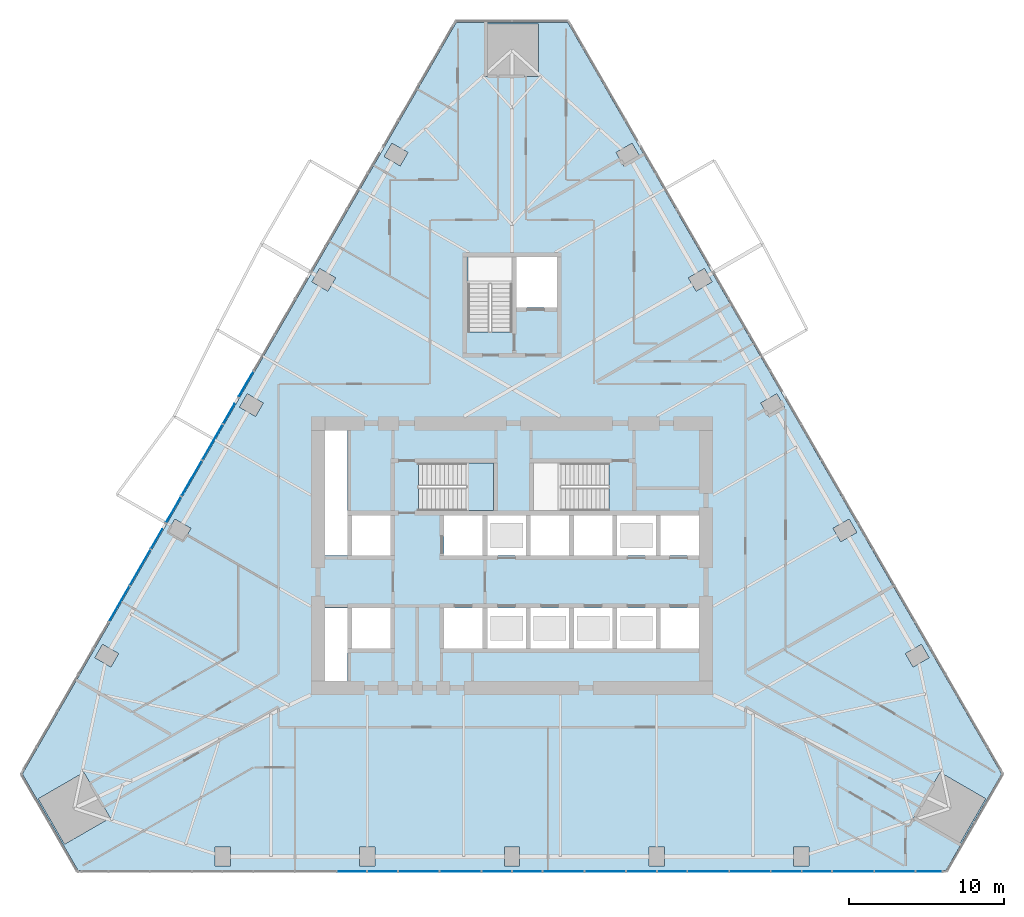
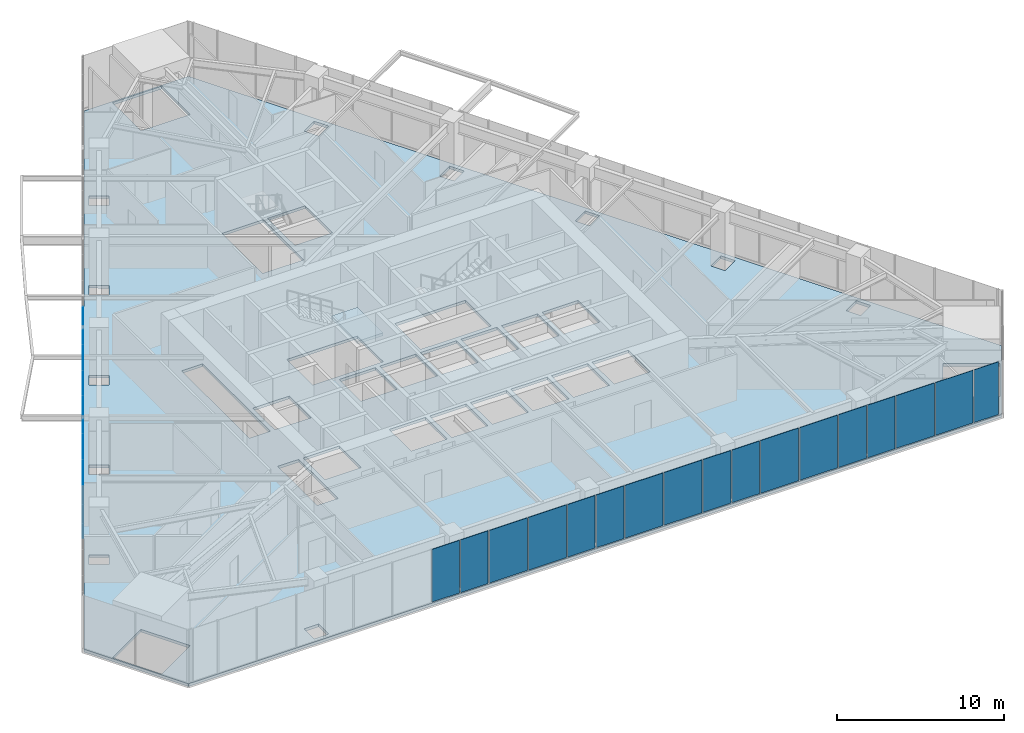
# One storey, part 12 of 22: 25 plates, 2 slabs, 3 elements without a shape of their own.
"""IFC4 building model written with IfcOpenShell, lengths in metres."""

from ifc_helpers import new_model, si_unit, direction, frame, origin, place, context, subcontext, project, spatial, polyline, outline, extrude, material, layer, layer_set, type_object, element, aggregate, save


model = new_model("IFC4")

# Units and contexts
model_context = context("Model", 3, precision=1e-05, world=origin(), true_north=direction((0.0, 1.0)))
body_context = subcontext(model_context, "Body", "Model", "MODEL_VIEW")
ifc_project = project(units=[si_unit("LENGTHUNIT", "METRE"), si_unit("AREAUNIT", "SQUARE_METRE"), si_unit("VOLUMEUNIT", "CUBIC_METRE"), si_unit("PLANEANGLEUNIT", "RADIAN"), si_unit("MASSUNIT", "GRAM", prefix="KILO")], contexts=[model_context])

# Site, building, storey
site_placement = place(None, origin())
site = spatial("IfcSite", under=ifc_project, at=site_placement, CompositionType="ELEMENT")
building_placement = place(site_placement, origin())
building = spatial("IfcBuilding", under=site, at=building_placement, Name="Firuza Gate Tower and Library", CompositionType="ELEMENT")
storey_placement = place(building_placement, frame((0.0, 0.0, 111.39990234375)))
storey = spatial("IfcBuildingStorey", under=building, at=storey_placement, Name="L25", CompositionType="ELEMENT", Elevation=111.39990234375)

# Slab
ifc_material_1 = material(Name="Concrete C40/50", Category="concrete")
ifc_layer_1 = layer(ifc_material_1, 0.199951171875)
ifc_layer_set_1 = layer_set([ifc_layer_1], Name="Composite floor slab 200 C40/50")
slab_type_1 = type_object("IfcSlabType", Name="Composite floor slab 200 C40/50", PredefinedType="FLOOR", material=ifc_layer_set_1)
slab_1_placement = place(storey_placement, frame((0.0, 0.0, -0.199951171875)))
element("IfcSlab", 1, at=slab_1_placement, inside=storey, type_object=slab_type_1, Name="Floor slab L25", PredefinedType="FLOOR", context=body_context, shape_type="SweptSolid", body=[
    extrude(outline(polyline([(43.33740234375, 60.87646484375), (46.937255859375, 54.64111328125), (103.062744140625, 54.64111328125), (106.66259765625, 60.87646484375), (78.60009765625, 109.482421875), (71.39990234375, 109.482421875), (43.33740234375, 60.87646484375)]), holes=[polyline([(55.79150390625, 54.941162109375), (55.79150390625, 56.14111328125), (56.79150390625, 56.14111328125), (56.79150390625, 54.941162109375), (55.79150390625, 54.941162109375)]), polyline([(65.145751953125, 54.941162109375), (65.145751953125, 56.14111328125), (66.145751953125, 56.14111328125), (66.145751953125, 54.941162109375), (65.145751953125, 54.941162109375)]), polyline([(44.3740234375, 59.281005859375), (47.318359375, 60.98095703125), (49.0185546875, 58.03662109375), (46.073974609375, 56.336669921875), (44.3740234375, 59.281005859375)]), polyline([(48.524169921875, 69.260498046875), (49.5634765625, 68.660400390625), (49.0634765625, 67.79443359375), (48.024169921875, 68.39453125), (48.524169921875, 69.260498046875)]), polyline([(64.35009765625, 66.89990234375), (62.89990234375, 66.89990234375), (62.89990234375, 71.60009765625), (64.35009765625, 71.60009765625), (64.35009765625, 66.89990234375)]), polyline([(75.89990234375, 69.0), (73.39990234375, 69.0), (73.39990234375, 71.60009765625), (75.89990234375, 71.60009765625), (75.89990234375, 69.0)]), polyline([(73.10009765625, 69.0), (70.60009765625, 69.0), (70.60009765625, 71.60009765625), (73.10009765625, 71.60009765625), (73.10009765625, 69.0)]), polyline([(64.64990234375, 69.0), (64.64990234375, 71.60009765625), (67.14990234375, 71.60009765625), (67.14990234375, 69.0), (64.64990234375, 69.0)]), polyline([(64.64990234375, 75.0), (64.64990234375, 77.60009765625), (67.14990234375, 77.60009765625), (67.14990234375, 75.0), (64.64990234375, 75.0)]), polyline([(75.89990234375, 75.0), (73.39990234375, 75.0), (73.39990234375, 77.60009765625), (75.89990234375, 77.60009765625), (75.89990234375, 75.0)]), polyline([(73.10009765625, 75.0), (70.60009765625, 75.0), (70.60009765625, 77.60009765625), (73.10009765625, 77.60009765625), (73.10009765625, 75.0)]), polyline([(53.201416015625, 77.361572265625), (54.24072265625, 76.761474609375), (53.74072265625, 75.8955078125), (52.701416015625, 76.495361328125), (53.201416015625, 77.361572265625)]), polyline([(62.89990234375, 75.0), (62.89990234375, 83.10009765625), (64.35009765625, 83.10009765625), (64.35009765625, 75.0), (62.89990234375, 75.0)]), polyline([(68.9404296875, 77.89990234375), (68.9404296875, 80.97998046875), (73.81005859375, 80.97998046875), (73.81005859375, 77.89990234375), (68.9404296875, 77.89990234375)]), polyline([(57.87841796875, 85.46240234375), (58.917724609375, 84.862548828125), (58.417724609375, 83.996337890625), (57.37841796875, 84.596435546875), (57.87841796875, 85.46240234375)]), polyline([(72.159912109375, 89.470458984375), (72.159912109375, 94.300048828125), (75.0, 94.300048828125), (75.0, 89.470458984375), (72.159912109375, 89.470458984375)]), polyline([(62.5556640625, 93.5634765625), (63.5947265625, 92.96337890625), (63.0947265625, 92.097412109375), (62.0556640625, 92.697509765625), (62.5556640625, 93.5634765625)]), polyline([(68.27197265625, 101.064453125), (67.77197265625, 100.198486328125), (66.732666015625, 100.79833984375), (67.232666015625, 101.66455078125), (68.27197265625, 101.064453125)]), polyline([(76.699951171875, 105.982421875), (73.300048828125, 105.982421875), (73.300048828125, 109.38232421875), (76.699951171875, 109.38232421875), (76.699951171875, 105.982421875)]), polyline([(93.20849609375, 54.941162109375), (93.20849609375, 56.14111328125), (94.20849609375, 56.14111328125), (94.20849609375, 54.941162109375), (93.20849609375, 54.941162109375)]), polyline([(74.5, 54.941162109375), (74.5, 56.14111328125), (75.5, 56.14111328125), (75.5, 54.941162109375), (74.5, 54.941162109375)]), polyline([(83.854248046875, 54.941162109375), (83.854248046875, 56.14111328125), (84.854248046875, 56.14111328125), (84.854248046875, 54.941162109375), (83.854248046875, 54.941162109375)]), polyline([(103.926025390625, 56.336669921875), (100.9814453125, 58.03662109375), (102.681640625, 60.98095703125), (105.6259765625, 59.281005859375), (103.926025390625, 56.336669921875)]), polyline([(101.975830078125, 68.39453125), (100.9365234375, 67.79443359375), (100.4365234375, 68.660400390625), (101.475830078125, 69.260498046875), (101.975830078125, 68.39453125)]), polyline([(78.699951171875, 69.0), (76.199951171875, 69.0), (76.199951171875, 71.60009765625), (78.699951171875, 71.60009765625), (78.699951171875, 69.0)]), polyline([(81.5, 69.0), (79.0, 69.0), (79.0, 71.60009765625), (81.5, 71.60009765625), (81.5, 69.0)]), polyline([(84.60009765625, 69.0), (84.60009765625, 71.60009765625), (87.10009765625, 71.60009765625), (87.10009765625, 69.0), (84.60009765625, 69.0)]), polyline([(81.800048828125, 69.0), (81.800048828125, 71.60009765625), (84.300048828125, 71.60009765625), (84.300048828125, 69.0), (81.800048828125, 69.0)]), polyline([(84.300048828125, 75.0), (81.800048828125, 75.0), (81.800048828125, 77.60009765625), (84.300048828125, 77.60009765625), (84.300048828125, 75.0)]), polyline([(87.10009765625, 75.0), (84.60009765625, 75.0), (84.60009765625, 77.60009765625), (87.10009765625, 77.60009765625), (87.10009765625, 75.0)]), polyline([(81.5, 75.0), (79.0, 75.0), (79.0, 77.60009765625), (81.5, 77.60009765625), (81.5, 75.0)]), polyline([(76.199951171875, 75.0), (76.199951171875, 77.60009765625), (78.699951171875, 77.60009765625), (78.699951171875, 75.0), (76.199951171875, 75.0)]), polyline([(96.25927734375, 75.8955078125), (95.75927734375, 76.761474609375), (96.798583984375, 77.361572265625), (97.298583984375, 76.495361328125), (96.25927734375, 75.8955078125)]), polyline([(81.259521484375, 77.89990234375), (76.389892578125, 77.89990234375), (76.389892578125, 80.97998046875), (81.259521484375, 80.97998046875), (81.259521484375, 77.89990234375)]), polyline([(92.62158203125, 84.596435546875), (91.582275390625, 83.996337890625), (91.082275390625, 84.862548828125), (92.12158203125, 85.46240234375), (92.62158203125, 84.596435546875)]), polyline([(77.89990234375, 91.050048828125), (75.300048828125, 91.050048828125), (75.300048828125, 94.300048828125), (77.89990234375, 94.300048828125), (77.89990234375, 91.050048828125)]), polyline([(86.9052734375, 92.097412109375), (86.4052734375, 92.96337890625), (87.4443359375, 93.5634765625), (87.9443359375, 92.697509765625), (86.9052734375, 92.097412109375)]), polyline([(82.22802734375, 100.198486328125), (81.72802734375, 101.064453125), (82.767333984375, 101.66455078125), (83.267333984375, 100.79833984375), (82.22802734375, 100.198486328125)])]), origin(), (0.0, 0.0, 1.0), 0.199951171875),
])

# Curtain wall, plates
ifc_material_2 = material(Name="Aluminium 6063-T6", Category="aluminium")
ifc_layer_2 = layer(ifc_material_2, 0.14990234375)
ifc_layer_set_2 = layer_set([ifc_layer_2], Name="Unitised curtain wall, offices")
curtain_wall_type = type_object("IfcCurtainWallType", Name="Unitised curtain wall, offices", PredefinedType="NOTDEFINED", material=ifc_layer_set_2)
placement = place(storey_placement, origin())
curtain_wall_1 = element("IfcCurtainWall", 2, at=placement, inside=storey, type_object=curtain_wall_type, Name="CW1 L25 S face", PredefinedType="NOTDEFINED")
ifc_material_3 = material(Name="Fritted glass", Category="glass")
ifc_layer_3 = layer(ifc_material_3, 0.030029296875)
ifc_layer_set_3 = layer_set([ifc_layer_3], Name="Fritted glass unit, offices")
plate_type_1 = type_object("IfcPlateType", Name="Fritted glass unit, offices", PredefinedType="CURTAIN_PANEL", material=ifc_layer_set_3)
plate_1_placement = place(storey_placement, frame((63.709228515625, 54.551025390625, 0.150146484375), z_axis=(0.0, -1.0, 0.0), x_axis=(1.0, 0.0, 0.0)))
plate_1 = element("IfcPlate", 3, at=plate_1_placement, type_object=plate_type_1, Name="Glass unit", PredefinedType="CURTAIN_PANEL", context=body_context, shape_type="SweptSolid", body=[
    extrude(outline(polyline([(0.0, 0.0), (1.882080078125, 0.0), (1.882080078125, 3.849853515625), (0.0, 3.849853515625), (0.0, 0.0)])), origin(), (0.0, 0.0, -1.0), 0.030029296875),
])
plate_2_placement = place(storey_placement, frame((65.67138671875, 54.551025390625, 0.150146484375), z_axis=(0.0, -1.0, 0.0), x_axis=(1.0, 0.0, 0.0)))
plate_2 = element("IfcPlate", 4, at=plate_2_placement, type_object=plate_type_1, Name="Glass unit", PredefinedType="CURTAIN_PANEL", context=body_context, shape_type="SweptSolid", body=[
    extrude(outline(polyline([(0.0, 0.0), (1.910888671875, 0.0), (1.910888671875, 3.849853515625), (0.0, 3.849853515625), (0.0, 0.0)])), origin(), (0.0, 0.0, -1.0), 0.030029296875),
])
plate_3_placement = place(storey_placement, frame((73.0634765625, 54.551025390625, 0.150146484375), z_axis=(0.0, -1.0, 0.0), x_axis=(1.0, 0.0, 0.0)))
plate_3 = element("IfcPlate", 5, at=plate_3_placement, type_object=plate_type_1, Name="Glass unit", PredefinedType="CURTAIN_PANEL", context=body_context, shape_type="SweptSolid", body=[
    extrude(outline(polyline([(0.0, 0.0), (1.896484375, 0.0), (1.896484375, 3.849853515625), (0.0, 3.849853515625), (0.0, 0.0)])), origin(), (0.0, 0.0, -1.0), 0.030029296875),
])
plate_4_placement = place(storey_placement, frame((75.0400390625, 54.551025390625, 0.150146484375), z_axis=(0.0, -1.0, 0.0), x_axis=(1.0, 0.0, 0.0)))
plate_4 = element("IfcPlate", 6, at=plate_4_placement, type_object=plate_type_1, Name="Glass unit", PredefinedType="CURTAIN_PANEL", context=body_context, shape_type="SweptSolid", body=[
    extrude(outline(polyline([(0.0, 0.0), (1.896484375, 0.0), (1.896484375, 3.849853515625), (0.0, 3.849853515625), (0.0, 0.0)])), origin(), (0.0, 0.0, -1.0), 0.030029296875),
])
plate_5_placement = place(storey_placement, frame((82.417724609375, 54.551025390625, 0.150146484375), z_axis=(0.0, -1.0, 0.0), x_axis=(1.0, 0.0, 0.0)))
plate_5 = element("IfcPlate", 7, at=plate_5_placement, type_object=plate_type_1, Name="Glass unit", PredefinedType="CURTAIN_PANEL", context=body_context, shape_type="SweptSolid", body=[
    extrude(outline(polyline([(0.0, 0.0), (1.910888671875, 0.0), (1.910888671875, 3.849853515625), (0.0, 3.849853515625), (0.0, 0.0)])), origin(), (0.0, 0.0, -1.0), 0.030029296875),
])
plate_6_placement = place(storey_placement, frame((84.40869140625, 54.551025390625, 0.150146484375), z_axis=(0.0, -1.0, 0.0), x_axis=(1.0, 0.0, 0.0)))
plate_6 = element("IfcPlate", 8, at=plate_6_placement, type_object=plate_type_1, Name="Glass unit", PredefinedType="CURTAIN_PANEL", context=body_context, shape_type="SweptSolid", body=[
    extrude(outline(polyline([(0.0, 0.0), (1.882080078125, 0.0), (1.882080078125, 3.849853515625), (0.0, 3.849853515625), (0.0, 0.0)])), origin(), (0.0, 0.0, -1.0), 0.030029296875),
])
plate_7_placement = place(storey_placement, frame((91.77197265625, 54.551025390625, 0.150146484375), z_axis=(0.0, -1.0, 0.0), x_axis=(1.0, 0.0, 0.0)))
plate_7 = element("IfcPlate", 9, at=plate_7_placement, type_object=plate_type_1, Name="Glass unit", PredefinedType="CURTAIN_PANEL", context=body_context, shape_type="SweptSolid", body=[
    extrude(outline(polyline([(0.0, 0.0), (1.92529296875, 0.0), (1.92529296875, 3.849853515625), (0.0, 3.849853515625), (0.0, 0.0)])), origin(), (0.0, 0.0, -1.0), 0.030029296875),
])
plate_8_placement = place(storey_placement, frame((93.77734375, 54.551025390625, 0.150146484375), z_axis=(0.0, -1.0, 0.0), x_axis=(1.0, 0.0, 0.0)))
plate_8 = element("IfcPlate", 10, at=plate_8_placement, type_object=plate_type_1, Name="Glass unit", PredefinedType="CURTAIN_PANEL", context=body_context, shape_type="SweptSolid", body=[
    extrude(outline(polyline([(0.0, 0.0), (1.86767578125, 0.0), (1.86767578125, 3.849853515625), (0.0, 3.849853515625), (0.0, 0.0)])), origin(), (0.0, 0.0, -1.0), 0.030029296875),
])
plate_9_placement = place(storey_placement, frame((101.126220703125, 54.551025390625, 0.150146484375), z_axis=(0.0, -1.0, 0.0), x_axis=(1.0, 0.0, 0.0)))
plate_9 = element("IfcPlate", 11, at=plate_9_placement, type_object=plate_type_1, Name="Glass unit", PredefinedType="CURTAIN_PANEL", context=body_context, shape_type="SweptSolid", body=[
    extrude(outline(polyline([(0.0, 0.0), (1.673583984375, 0.0), (1.673583984375, 3.849853515625), (0.0, 3.849853515625), (0.0, 0.0)])), origin(), (0.0, 0.0, -1.0), 0.030029296875),
])

curtain_wall_2 = element("IfcCurtainWall", 12, at=placement, inside=storey, type_object=curtain_wall_type, Name="CW1 L25 W face", PredefinedType="NOTDEFINED")
plate_10_placement = place(storey_placement, frame((58.259033203125, 86.9013671875, 0.150146484375), z_axis=(-0.866016220268, 0.500015905979, 0.0), x_axis=(-0.500015905979, -0.866016220268, 0.0)))
plate_10 = element("IfcPlate", 13, at=plate_10_placement, type_object=plate_type_1, Name="Glass unit", PredefinedType="CURTAIN_PANEL", context=body_context, shape_type="SweptSolid", body=[
    extrude(outline(polyline([(0.0, 0.0), (1.8964240460371324, 0.0), (1.8964240460371324, 3.849853515625), (0.0, 3.849853515625), (0.0, 0.0)])), origin(), (0.0, 0.0, -1.0), 0.030029296875),
])
plate_11_placement = place(storey_placement, frame((57.04736328125, 84.802734375, 0.150146484375), z_axis=(-0.86600608357, 0.5000334621, 0.0), x_axis=(-0.5000334621, -0.86600608357, 0.0)))
plate_11 = element("IfcPlate", 14, at=plate_11_placement, type_object=plate_type_1, Name="Glass unit", PredefinedType="CURTAIN_PANEL", context=body_context, shape_type="SweptSolid", body=[
    extrude(outline(polyline([(0.0, 0.0), (1.4496100172587774, 0.0), (1.4496100172587774, 3.849853515625), (0.0, 3.849853515625), (0.0, 0.0)])), origin(), (0.0, 0.0, -1.0), 0.030029296875),
])
plate_12_placement = place(storey_placement, frame((53.581787109375, 78.800537109375, 0.150146484375), z_axis=(-0.866072836187, 0.499917835669, 0.0), x_axis=(-0.499917835669, -0.866072836187, 0.0)))
plate_12 = element("IfcPlate", 15, at=plate_12_placement, type_object=plate_type_1, Name="Glass unit", PredefinedType="CURTAIN_PANEL", context=body_context, shape_type="SweptSolid", body=[
    extrude(outline(polyline([(0.0, 0.0), (1.9109585565138352, 0.0), (1.9109585565138352, 3.849853515625001), (0.0, 3.849853515625001), (0.0, 0.0)])), origin(), (0.0, 0.0, -1.0), 0.030029296875),
])
plate_13_placement = place(storey_placement, frame((52.3701171875, 76.70166015625, 0.150146484375), z_axis=(-0.866036909293, 0.499980071345, 0.0), x_axis=(-0.499980071345, -0.866036909293, 0.0)))
plate_13 = element("IfcPlate", 16, at=plate_13_placement, type_object=plate_type_1, Name="Glass unit", PredefinedType="CURTAIN_PANEL", context=body_context, shape_type="SweptSolid", body=[
    extrude(outline(polyline([(0.0, 0.0), (1.4492765142645265, 0.0), (1.4492765142645265, 3.849853515625), (0.0, 3.849853515625), (0.0, 0.0)])), origin(), (0.0, 0.0, -1.0), 0.030029296875),
])

# Plate
ifc_material_4 = material(Name="Glazed ceramic tile")
ifc_layer_4 = layer(ifc_material_4, 0.030029296875)
ifc_layer_set_4 = layer_set([ifc_layer_4], Name="Opaque ceramic panel, offices")
plate_type_2 = type_object("IfcPlateType", Name="Opaque ceramic panel, offices", PredefinedType="CURTAIN_PANEL", material=ifc_layer_set_4)
plate_14_placement = place(storey_placement, frame((67.662353515625, 54.551025390625, 0.150146484375), z_axis=(0.0, -1.0, 0.0), x_axis=(1.0, 0.0, 0.0)))
plate_14 = element("IfcPlate", 17, at=plate_14_placement, type_object=plate_type_2, Name="Opaque ceramic panel", PredefinedType="CURTAIN_PANEL", context=body_context, shape_type="SweptSolid", body=[
    extrude(outline(polyline([(0.0, 0.0), (2.61328125, 0.0), (2.61328125, 3.849853515625), (0.0, 3.849853515625), (0.0, 0.0)])), origin(), (0.0, 0.0, -1.0), 0.030029296875),
])

plate_15_placement = place(storey_placement, frame((70.355712890625, 54.551025390625, 0.150146484375), z_axis=(0.0, -1.0, 0.0), x_axis=(1.0, 0.0, 0.0)))
plate_15 = element("IfcPlate", 18, at=plate_15_placement, type_object=plate_type_2, Name="Opaque ceramic panel", PredefinedType="CURTAIN_PANEL", context=body_context, shape_type="SweptSolid", body=[
    extrude(outline(polyline([(0.0, 0.0), (2.6279296875, 0.0), (2.6279296875, 3.849853515625), (0.0, 3.849853515625), (0.0, 0.0)])), origin(), (0.0, 0.0, -1.0), 0.030029296875),
])

plate_16_placement = place(storey_placement, frame((77.016357421875, 54.551025390625, 0.150146484375), z_axis=(0.0, -1.0, 0.0), x_axis=(1.0, 0.0, 0.0)))
plate_16 = element("IfcPlate", 19, at=plate_16_placement, type_object=plate_type_2, Name="Opaque ceramic panel", PredefinedType="CURTAIN_PANEL", context=body_context, shape_type="SweptSolid", body=[
    extrude(outline(polyline([(0.0, 0.0), (2.6279296875, 0.0), (2.6279296875, 3.849853515625), (0.0, 3.849853515625), (0.0, 0.0)])), origin(), (0.0, 0.0, -1.0), 0.030029296875),
])

plate_17_placement = place(storey_placement, frame((79.724365234375, 54.551025390625, 0.150146484375), z_axis=(0.0, -1.0, 0.0), x_axis=(1.0, 0.0, 0.0)))
plate_17 = element("IfcPlate", 20, at=plate_17_placement, type_object=plate_type_2, Name="Opaque ceramic panel", PredefinedType="CURTAIN_PANEL", context=body_context, shape_type="SweptSolid", body=[
    extrude(outline(polyline([(0.0, 0.0), (2.61328125, 0.0), (2.61328125, 3.849853515625), (0.0, 3.849853515625), (0.0, 0.0)])), origin(), (0.0, 0.0, -1.0), 0.030029296875),
])

plate_18_placement = place(storey_placement, frame((86.37060546875, 54.551025390625, 0.150146484375), z_axis=(0.0, -1.0, 0.0), x_axis=(1.0, 0.0, 0.0)))
plate_18 = element("IfcPlate", 21, at=plate_18_placement, type_object=plate_type_2, Name="Opaque ceramic panel", PredefinedType="CURTAIN_PANEL", context=body_context, shape_type="SweptSolid", body=[
    extrude(outline(polyline([(0.0, 0.0), (2.642333984375, 0.0), (2.642333984375, 3.849853515625), (0.0, 3.849853515625), (0.0, 0.0)])), origin(), (0.0, 0.0, -1.0), 0.030029296875),
])

plate_19_placement = place(storey_placement, frame((89.093017578125, 54.551025390625, 0.150146484375), z_axis=(0.0, -1.0, 0.0), x_axis=(1.0, 0.0, 0.0)))
plate_19 = element("IfcPlate", 22, at=plate_19_placement, type_object=plate_type_2, Name="Opaque ceramic panel", PredefinedType="CURTAIN_PANEL", context=body_context, shape_type="SweptSolid", body=[
    extrude(outline(polyline([(0.0, 0.0), (2.598876953125, 0.0), (2.598876953125, 3.849853515625), (0.0, 3.849853515625), (0.0, 0.0)])), origin(), (0.0, 0.0, -1.0), 0.030029296875),
])

plate_20_placement = place(storey_placement, frame((95.724853515625, 54.551025390625, 0.150146484375), z_axis=(0.0, -1.0, 0.0), x_axis=(1.0, 0.0, 0.0)))
plate_20 = element("IfcPlate", 23, at=plate_20_placement, type_object=plate_type_2, Name="Opaque ceramic panel", PredefinedType="CURTAIN_PANEL", context=body_context, shape_type="SweptSolid", body=[
    extrude(outline(polyline([(0.0, 0.0), (2.65673828125, 0.0), (2.65673828125, 3.849853515625), (0.0, 3.849853515625), (0.0, 0.0)])), origin(), (0.0, 0.0, -1.0), 0.030029296875),
])

plate_21_placement = place(storey_placement, frame((98.461669921875, 54.551025390625, 0.150146484375), z_axis=(0.0, -1.0, 0.0), x_axis=(1.0, 0.0, 0.0)))
plate_21 = element("IfcPlate", 24, at=plate_21_placement, type_object=plate_type_2, Name="Opaque ceramic panel", PredefinedType="CURTAIN_PANEL", context=body_context, shape_type="SweptSolid", body=[
    extrude(outline(polyline([(0.0, 0.0), (2.58447265625, 0.0), (2.58447265625, 3.849853515625), (0.0, 3.849853515625), (0.0, 0.0)])), origin(), (0.0, 0.0, -1.0), 0.030029296875),
])

aggregate(curtain_wall_1, [plate_1, plate_2, plate_14, plate_15, plate_3, plate_4, plate_16, plate_17, plate_5, plate_6, plate_18, plate_19, plate_7, plate_8, plate_20, plate_21, plate_9])

plate_22_placement = place(storey_placement, frame((56.282470703125, 83.47802734375, 0.150146484375), z_axis=(-0.866004557827, 0.500036104519, 0.0), x_axis=(-0.500036104519, -0.866004557827, 0.0)))
plate_22 = element("IfcPlate", 25, at=plate_22_placement, type_object=plate_type_2, Name="Opaque ceramic panel", PredefinedType="CURTAIN_PANEL", context=body_context, shape_type="SweptSolid", body=[
    extrude(outline(polyline([(0.0, 0.0), (2.6277399409249216, 0.0), (2.6277399409249216, 3.849853515625), (0.0, 3.849853515625), (0.0, 0.0)])), origin(), (0.0, 0.0, -1.0), 0.030029296875),
])

plate_23_placement = place(storey_placement, frame((54.928466796875, 81.133056640625, 0.150146484375), z_axis=(-0.86602690036, 0.499997407846, 0.0), x_axis=(-0.499997407846, -0.86602690036, 0.0)))
plate_23 = element("IfcPlate", 26, at=plate_23_placement, type_object=plate_type_2, Name="Opaque ceramic panel", PredefinedType="CURTAIN_PANEL", context=body_context, shape_type="SweptSolid", body=[
    extrude(outline(polyline([(0.0, 0.0), (2.6132947981273666, 0.0), (2.6132947981273666, 3.849853515625), (0.0, 3.849853515625), (0.0, 0.0)])), origin(), (0.0, 0.0, -1.0), 0.030029296875),
])

plate_24_placement = place(storey_placement, frame((51.60546875, 75.377197265625, 0.150146484375), z_axis=(-0.866005562249, 0.500034364973, 0.0), x_axis=(-0.500034364973, -0.866005562249, 0.0)))
plate_24 = element("IfcPlate", 27, at=plate_24_placement, type_object=plate_type_2, Name="Opaque ceramic panel", PredefinedType="CURTAIN_PANEL", context=body_context, shape_type="SweptSolid", body=[
    extrude(outline(polyline([(0.0, 0.0), (2.642396513230688, 0.0), (2.642396513230688, 3.849853515625001), (0.0, 3.849853515625001), (0.0, 0.0)])), origin(), (0.0, 0.0, -1.0), 0.030029296875),
])

plate_25_placement = place(storey_placement, frame((50.244140625, 73.01953125, 0.150146484375), z_axis=(-0.866049489508, 0.499958279983, 0.0), x_axis=(-0.499958279983, -0.866049489508, 0.0)))
plate_25 = element("IfcPlate", 28, at=plate_25_placement, type_object=plate_type_2, Name="Opaque ceramic panel", PredefinedType="CURTAIN_PANEL", context=body_context, shape_type="SweptSolid", body=[
    extrude(outline(polyline([(0.0, 0.0), (2.598849660605576, 0.0), (2.598849660605576, 3.849853515625001), (0.0, 3.849853515625001), (0.0, 0.0)])), origin(), (0.0, 0.0, -1.0), 0.030029296875),
])

aggregate(curtain_wall_2, [plate_10, plate_11, plate_22, plate_23, plate_12, plate_13, plate_24, plate_25])

# Stair, slab
ifc_material_5 = material(Name="Concrete C35/45", Category="concrete")
stair_type = type_object("IfcStairType", Name="Exit stair ST5", PredefinedType="HALF_TURN_STAIR", material=ifc_material_5)
stair = element("IfcStair", 29, at=placement, inside=storey, type_object=stair_type, Name="L25 Stair ST1", PredefinedType="HALF_TURN_STAIR")
ifc_material_6 = material(Name="Concrete C35/45", Category="concrete")
ifc_layer_5 = layer(ifc_material_6, 0.199951171875)
ifc_layer_set_5 = layer_set([ifc_layer_5], Name="Stair landing 200")
slab_type_2 = type_object("IfcSlabType", Name="Stair landing 200", PredefinedType="LANDING", material=ifc_layer_set_5)
slab_2_placement = place(storey_placement, frame((0.0, 0.0, 1.900146484375)))
slab_2 = element("IfcSlab", 30, at=slab_2_placement, type_object=slab_type_2, Name="ST1 landing 1", PredefinedType="LANDING", context=body_context, shape_type="SweptSolid", body=[
    extrude(outline(polyline([(72.02001953125, 77.89990234375), (73.81005859375, 77.89990234375), (73.81005859375, 80.97998046875), (72.02001953125, 80.97998046875), (72.02001953125, 77.89990234375)])), origin(), (0.0, 0.0, 1.0), 0.199951171875),
])
aggregate(stair, [slab_2])

save(model, "model.ifc")
